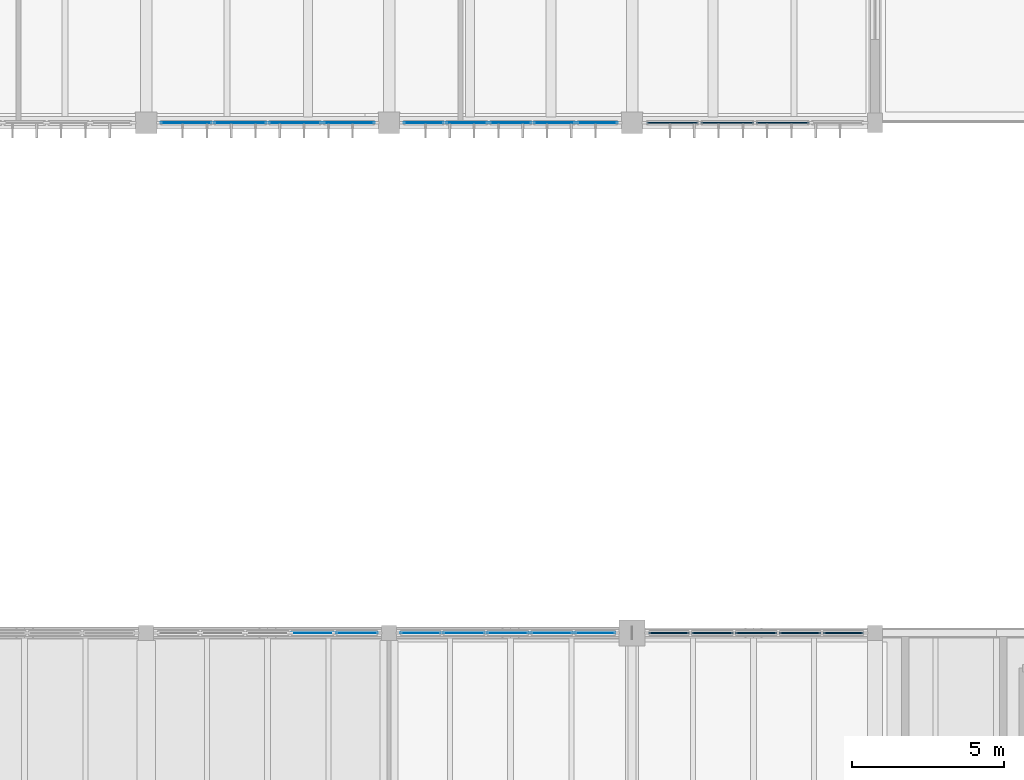
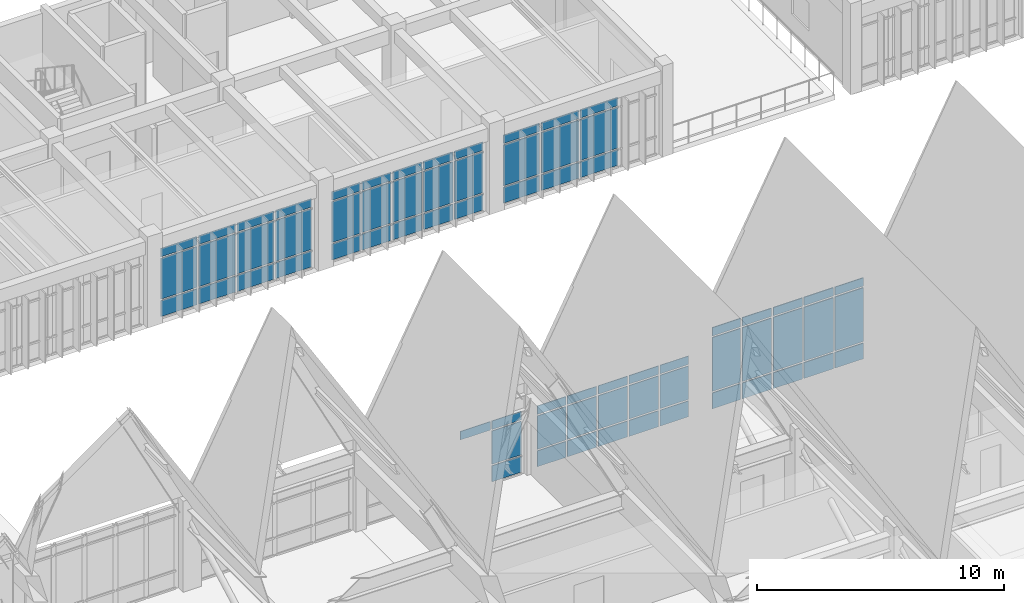
# One storey, part 37 of 72: 70 plates, 6 elements without a shape of their own.
"""IFC4 building model written with IfcOpenShell, lengths in metres."""

import ifcopenshell
import ifcopenshell.guid

model = None  # the IFC model being written
_history = None  # IfcOwnerHistory: only IFC2X3 demands one
_inside = {}  # id of a spatial element -> (the spatial element, [elements in it])
_under = {}  # id of a project, library or spatial element -> (it, [spatial elements below it])
_declared = {}  # id of a project -> (the project, [libraries it declares])
_typed = {}  # id of a type object -> (the type object, [elements of that type])
_made_of = {}  # id of a material, layer set ... -> (it, [elements and type objects made of it])


def new_model(schema):
    """Start an empty IFC model of exactly this schema.

    Asked for "IFC4X3", IfcOpenShell would pick the latest addendum, in which some entities
    have other attributes; the version numbers below select the first issue.
    IFC2X3 requires an IfcOwnerHistory on every rooted entity: one is made here for all.
    """
    global model, _history
    if schema == "IFC4X3":
        model = ifcopenshell.file(schema_version=(4, 3, 0, 0))
    else:
        model = ifcopenshell.file(schema=schema)
    _inside.clear()
    _under.clear()
    _declared.clear()
    _typed.clear()
    _made_of.clear()
    _history = None
    if model.schema == "IFC2X3":
        org = make("IfcOrganization", Name="unknown")
        user = make(
            "IfcPersonAndOrganization",
            ThePerson=make("IfcPerson", FamilyName="unknown"),
            TheOrganization=org,
        )
        app = make(
            "IfcApplication",
            ApplicationDeveloper=org,
            Version="unknown",
            ApplicationFullName="unknown",
            ApplicationIdentifier="unknown",
        )
        _history = make(
            "IfcOwnerHistory",
            OwningUser=user,
            OwningApplication=app,
            ChangeAction="ADDED",
            CreationDate=0,
        )
    return model


def make(cls, **values):
    """One entity of the class cls with the attributes given. An attribute that is None is left unset."""
    return model.create_entity(
        cls, **{name: value for name, value in values.items() if value is not None}
    )


def rooted(cls, **values):
    """An entity with a GlobalId (a new one), such as an element, a storey or a relation."""
    return make(cls, GlobalId=ifcopenshell.guid.new(), OwnerHistory=_history, **values)


def si_unit(unit_type, name, prefix=None):
    """IfcSIUnit, for example si_unit("LENGTHUNIT", "METRE", prefix="MILLI")."""
    return make("IfcSIUnit", UnitType=unit_type, Prefix=prefix, Name=name)


def assignment(units):
    """IfcUnitAssignment: the units of a project."""
    return None if units is None else make("IfcUnitAssignment", Units=units)


def point(xyz):
    """IfcCartesianPoint."""
    return None if xyz is None else make("IfcCartesianPoint", Coordinates=xyz)


def direction(xyz):
    """IfcDirection."""
    return None if xyz is None else make("IfcDirection", DirectionRatios=xyz)


def frame(location, z_axis=None, x_axis=None):
    """IfcAxis2Placement3D, a coordinate frame: its origin and axes. An axis left out is left unset."""
    return make(
        "IfcAxis2Placement3D",
        Location=point(location),
        Axis=direction(z_axis),
        RefDirection=direction(x_axis),
    )


def frame_2d(location, x_axis=None):
    """IfcAxis2Placement2D, a coordinate frame in the plane: its origin and x axis."""
    return make(
        "IfcAxis2Placement2D", Location=point(location), RefDirection=direction(x_axis)
    )


def origin():
    """The frame at (0, 0, 0) with its axes left unset."""
    return frame((0.0, 0.0, 0.0))


def origin_2d():
    """The frame at (0, 0) in the plane with its x axis left unset."""
    return frame_2d((0.0, 0.0))


def place(relative_to, where):
    """IfcLocalPlacement: puts the frame where relative to a parent placement (None: the world)."""
    return make(
        "IfcLocalPlacement", PlacementRelTo=relative_to, RelativePlacement=where
    )


def context(
    kind, dimensions, precision=None, world=None, true_north=None, identifier=None
):
    """IfcGeometricRepresentationContext, for example the 3D "Model" context."""
    return make(
        "IfcGeometricRepresentationContext",
        ContextIdentifier=identifier,
        ContextType=kind,
        CoordinateSpaceDimension=dimensions,
        Precision=precision,
        WorldCoordinateSystem=world,
        TrueNorth=true_north,
    )


def subcontext(parent, identifier, kind, view, scale=None):
    """IfcGeometricRepresentationSubContext, for example "Body" below "Model"."""
    return make(
        "IfcGeometricRepresentationSubContext",
        ContextIdentifier=identifier,
        ContextType=kind,
        ParentContext=parent,
        TargetScale=scale,
        TargetView=view,
    )


def project(units=None, contexts=None):
    """IfcProject with its units and contexts."""
    return rooted(
        "IfcProject",
        Name="project",
        RepresentationContexts=contexts,
        UnitsInContext=assignment(units),
    )


def spatial(cls, under=None, at=None, **own):
    """A site, building, storey or space (cls), placed at a placement, below another one or the project."""
    s = rooted(cls, ObjectPlacement=at, **own)
    if under is not None:
        _under.setdefault(under.id(), (under, []))[1].append(s)
    return s


def profile(cls, at=None, kind="AREA", **sizes):
    """A parametric profile (cls). Its sizes go by their IFC names, for example OverallWidth=200.0."""
    return make(cls, ProfileType=kind, Position=at, **sizes)


def rectangle(**sizes):
    """IfcRectangleProfileDef."""
    return profile("IfcRectangleProfileDef", **sizes)


def extrude(swept, where, along, depth):
    """IfcExtrudedAreaSolid: the profile swept, set in the frame where, extruded along a direction by depth."""
    return make(
        "IfcExtrudedAreaSolid",
        SweptArea=swept,
        Position=where,
        ExtrudedDirection=direction(along),
        Depth=depth,
    )


def shape(context_of_items, identifier, shape_type, items):
    """IfcShapeRepresentation: the items that make up one representation, for example the "Body"."""
    return make(
        "IfcShapeRepresentation",
        ContextOfItems=context_of_items,
        RepresentationIdentifier=identifier,
        RepresentationType=shape_type,
        Items=items,
    )


def material(Name=None, Category=None):
    """IfcMaterial."""
    return make("IfcMaterial", Name=Name, Category=Category)


def layer(
    of_material, thickness, ventilated=None, Name=None, Category=None, Priority=None
):
    """IfcMaterialLayer: one layer of a wall or slab, of a material (None: an air gap)."""
    return make(
        "IfcMaterialLayer",
        Material=of_material,
        LayerThickness=thickness,
        IsVentilated=ventilated,
        Name=Name,
        Category=Category,
        Priority=Priority,
    )


def layer_set(layers, Name=None):
    """IfcMaterialLayerSet."""
    return make("IfcMaterialLayerSet", MaterialLayers=layers, LayerSetName=Name)


def made_of(thing, what):
    """Note that an element or type object is made of a material, layer set ...; save() writes the relation."""
    if what is not None:
        _made_of.setdefault(what.id(), (what, []))[1].append(thing)
    return thing


def type_object(cls, material=None, **own):
    """A type object (cls), such as IfcWallType, which elements share."""
    return made_of(rooted(cls, **own), material)


def element(
    cls,
    number,
    at=None,
    inside=None,
    cuts=None,
    type_object=None,
    material=None,
    context=None,
    identifier="Body",
    shape_type=None,
    held_by="IfcProductDefinitionShape",
    body=None,
    shapes=None,
    **own,
):
    """One element of the class cls, such as IfcWall. Its Tag is "e" and its number.

    at: its placement. inside: the storey or other place that contains it. cuts: it is an
    opening in that element (IfcRelVoidsElement). A single representation is given by context,
    identifier, shape_type and body (its items); several are given by shapes. held_by: the class
    of the entity that holds the representations. save() writes the other relations.
    """
    e = rooted(cls, Tag="e%d" % number, ObjectPlacement=at, **own)
    if body is not None:
        shapes = [shape(context, identifier, shape_type, body)]
    if shapes is not None:
        e.Representation = make(held_by, Representations=shapes)
    if inside is not None:
        _inside.setdefault(inside.id(), (inside, []))[1].append(e)
    if cuts is not None:
        rooted(
            "IfcRelVoidsElement", RelatingBuildingElement=cuts, RelatedOpeningElement=e
        )
    if type_object is not None:
        _typed.setdefault(type_object.id(), (type_object, []))[1].append(e)
    return made_of(e, material)


def aggregate(whole, parts):
    """IfcRelAggregates: a whole, such as a stair, and the parts it consists of."""
    return rooted("IfcRelAggregates", RelatingObject=whole, RelatedObjects=parts)


def save(model, path):
    """Write the relations noted so far, then the file.

    IfcRelAggregates (storeys below a building ...), IfcRelContainedInSpatialStructure (elements
    in a storey), IfcRelDefinesByType, IfcRelAssociatesMaterial and IfcRelDeclares: one each for
    every whole, place, type object, material and project.
    """
    for whole, parts in _under.values():
        aggregate(whole, parts)
    for where, things in _inside.values():
        rooted(
            "IfcRelContainedInSpatialStructure",
            RelatedElements=things,
            RelatingStructure=where,
        )
    for kind, things in _typed.values():
        rooted("IfcRelDefinesByType", RelatedObjects=things, RelatingType=kind)
    for what, things in _made_of.values():
        rooted("IfcRelAssociatesMaterial", RelatedObjects=things, RelatingMaterial=what)
    for by, libraries in _declared.values():
        rooted("IfcRelDeclares", RelatingContext=by, RelatedDefinitions=libraries)
    model.write(path)


model = new_model("IFC4")

# Units and contexts
model_context = context("Model", 3, precision=1e-05, world=origin(), true_north=direction((0.0, 1.0)))
body_context = subcontext(model_context, "Body", "Model", "MODEL_VIEW")
ifc_project = project(units=[si_unit("LENGTHUNIT", "METRE"), si_unit("AREAUNIT", "SQUARE_METRE"), si_unit("VOLUMEUNIT", "CUBIC_METRE"), si_unit("PLANEANGLEUNIT", "RADIAN"), si_unit("MASSUNIT", "GRAM", prefix="KILO")], contexts=[model_context])

# Site, building, storey
site_placement = place(None, origin())
site = spatial("IfcSite", under=ifc_project, at=site_placement, CompositionType="ELEMENT")
building_placement = place(site_placement, origin())
building = spatial("IfcBuilding", under=site, at=building_placement, Name="Tlaxcora Railside Police Headquarters", CompositionType="ELEMENT")
storey_placement = place(building_placement, frame((0.0, 0.0, 13.5)))
storey = spatial("IfcBuildingStorey", under=building, at=storey_placement, Name="L03", CompositionType="ELEMENT", Elevation=13.5)

# Curtain wall, plates
ifc_material = material(Name="Thermally broken low-E insulated glazing", Category="glass")
curtain_wall_type_1 = type_object("IfcCurtainWallType", Name="Unitised Curtain Wall Assembly CW-23", PredefinedType="NOTDEFINED", material=ifc_material)
curtain_wall_1_placement = place(storey_placement, origin())
curtain_wall_1 = element("IfcCurtainWall", 1, at=curtain_wall_1_placement, inside=storey, type_object=curtain_wall_type_1, Name="V2 L03 curtain wall 16", PredefinedType="NOTDEFINED")
ifc_layer_1 = layer(ifc_material, 0.0400390625, Name="Thermally broken low-E insulated glazing")
ifc_layer_set_1 = layer_set([ifc_layer_1], Name="Thermally broken low-E insulated glazing")
plate_type_1 = type_object("IfcPlateType", Name="Curtain Wall Infill Panel CW-17", PredefinedType="CURTAIN_PANEL", material=ifc_layer_set_1)
plate_1_placement = place(storey_placement, frame((92.95751953125, 60.0, 0.080078125), z_axis=(0.0, 0.0, 1.0), x_axis=(-1.0, 0.0, 0.0)))
plate_1 = element("IfcPlate", 2, at=plate_1_placement, type_object=plate_type_1, Name="CW panel 1.1", PredefinedType="CURTAIN_PANEL", context=body_context, shape_type="SweptSolid", body=[
    extrude(rectangle(XDim=1.324951171875, YDim=0.0400390625, at=origin_2d()), origin(), (0.0, 0.0, 1.0), 0.780029296875),
])
plate_2_placement = place(storey_placement, frame((92.95751953125, 60.0, 0.93994140625), z_axis=(0.0, 0.0, 1.0), x_axis=(-1.0, 0.0, 0.0)))
plate_2 = element("IfcPlate", 3, at=plate_2_placement, type_object=plate_type_1, Name="CW panel 1.2", PredefinedType="CURTAIN_PANEL", context=body_context, shape_type="SweptSolid", body=[
    extrude(rectangle(XDim=1.324951171875, YDim=0.0400390625, at=origin_2d()), origin(), (0.0, 0.0, 1.0), 2.659912109375),
])
plate_3_placement = place(storey_placement, frame((92.95751953125, 60.0, 3.68017578125), z_axis=(0.0, 0.0, 1.0), x_axis=(-1.0, 0.0, 0.0)))
plate_3 = element("IfcPlate", 4, at=plate_3_placement, type_object=plate_type_1, Name="CW panel 1.3", PredefinedType="CURTAIN_PANEL", context=body_context, shape_type="SweptSolid", body=[
    extrude(rectangle(XDim=1.324951171875, YDim=0.0400390625, at=origin_2d()), origin(), (0.0, 0.0, 1.0), 0.409912109375),
])
plate_4_placement = place(storey_placement, frame((91.532470703125, 60.0, 0.080078125), z_axis=(0.0, 0.0, 1.0), x_axis=(-1.0, 0.0, 0.0)))
plate_4 = element("IfcPlate", 5, at=plate_4_placement, type_object=plate_type_1, Name="CW panel 2.1", PredefinedType="CURTAIN_PANEL", context=body_context, shape_type="SweptSolid", body=[
    extrude(rectangle(XDim=1.364990234375, YDim=0.0400390625, at=origin_2d()), origin(), (0.0, 0.0, 1.0), 0.780029296875),
])
plate_5_placement = place(storey_placement, frame((91.532470703125, 60.0, 0.93994140625), z_axis=(0.0, 0.0, 1.0), x_axis=(-1.0, 0.0, 0.0)))
plate_5 = element("IfcPlate", 6, at=plate_5_placement, type_object=plate_type_1, Name="CW panel 2.2", PredefinedType="CURTAIN_PANEL", context=body_context, shape_type="SweptSolid", body=[
    extrude(rectangle(XDim=1.364990234375, YDim=0.0400390625, at=origin_2d()), origin(), (0.0, 0.0, 1.0), 2.659912109375),
])
plate_6_placement = place(storey_placement, frame((91.532470703125, 60.0, 3.68017578125), z_axis=(0.0, 0.0, 1.0), x_axis=(-1.0, 0.0, 0.0)))
plate_6 = element("IfcPlate", 7, at=plate_6_placement, type_object=plate_type_1, Name="CW panel 2.3", PredefinedType="CURTAIN_PANEL", context=body_context, shape_type="SweptSolid", body=[
    extrude(rectangle(XDim=1.364990234375, YDim=0.0400390625, at=origin_2d()), origin(), (0.0, 0.0, 1.0), 0.409912109375),
])
plate_7_placement = place(storey_placement, frame((90.08740234375, 60.0, 0.080078125), z_axis=(0.0, 0.0, 1.0), x_axis=(-1.0, 0.0, 0.0)))
plate_7 = element("IfcPlate", 8, at=plate_7_placement, type_object=plate_type_1, Name="CW panel 3.1", PredefinedType="CURTAIN_PANEL", context=body_context, shape_type="SweptSolid", body=[
    extrude(rectangle(XDim=1.364990234375, YDim=0.0400390625, at=origin_2d()), origin(), (0.0, 0.0, 1.0), 0.780029296875),
])
plate_8_placement = place(storey_placement, frame((90.08740234375, 60.0, 0.93994140625), z_axis=(0.0, 0.0, 1.0), x_axis=(-1.0, 0.0, 0.0)))
plate_8 = element("IfcPlate", 9, at=plate_8_placement, type_object=plate_type_1, Name="CW panel 3.2", PredefinedType="CURTAIN_PANEL", context=body_context, shape_type="SweptSolid", body=[
    extrude(rectangle(XDim=1.364990234375, YDim=0.0400390625, at=origin_2d()), origin(), (0.0, 0.0, 1.0), 2.659912109375),
])
plate_9_placement = place(storey_placement, frame((90.08740234375, 60.0, 3.68017578125), z_axis=(0.0, 0.0, 1.0), x_axis=(-1.0, 0.0, 0.0)))
plate_9 = element("IfcPlate", 10, at=plate_9_placement, type_object=plate_type_1, Name="CW panel 3.3", PredefinedType="CURTAIN_PANEL", context=body_context, shape_type="SweptSolid", body=[
    extrude(rectangle(XDim=1.364990234375, YDim=0.0400390625, at=origin_2d()), origin(), (0.0, 0.0, 1.0), 0.409912109375),
])
plate_10_placement = place(storey_placement, frame((88.642578125, 60.0, 0.080078125), z_axis=(0.0, 0.0, 1.0), x_axis=(-1.0, 0.0, 0.0)))
plate_10 = element("IfcPlate", 11, at=plate_10_placement, type_object=plate_type_1, Name="CW panel 4.1", PredefinedType="CURTAIN_PANEL", context=body_context, shape_type="SweptSolid", body=[
    extrude(rectangle(XDim=1.364990234375, YDim=0.0400390625, at=origin_2d()), origin(), (0.0, 0.0, 1.0), 0.780029296875),
])
plate_11_placement = place(storey_placement, frame((88.642578125, 60.0, 0.93994140625), z_axis=(0.0, 0.0, 1.0), x_axis=(-1.0, 0.0, 0.0)))
plate_11 = element("IfcPlate", 12, at=plate_11_placement, type_object=plate_type_1, Name="CW panel 4.2", PredefinedType="CURTAIN_PANEL", context=body_context, shape_type="SweptSolid", body=[
    extrude(rectangle(XDim=1.364990234375, YDim=0.0400390625, at=origin_2d()), origin(), (0.0, 0.0, 1.0), 2.659912109375),
])
plate_12_placement = place(storey_placement, frame((88.642578125, 60.0, 3.68017578125), z_axis=(0.0, 0.0, 1.0), x_axis=(-1.0, 0.0, 0.0)))
plate_12 = element("IfcPlate", 13, at=plate_12_placement, type_object=plate_type_1, Name="CW panel 4.3", PredefinedType="CURTAIN_PANEL", context=body_context, shape_type="SweptSolid", body=[
    extrude(rectangle(XDim=1.364990234375, YDim=0.0400390625, at=origin_2d()), origin(), (0.0, 0.0, 1.0), 0.409912109375),
])
plate_13_placement = place(storey_placement, frame((87.217529296875, 60.0, 0.080078125), z_axis=(0.0, 0.0, 1.0), x_axis=(-1.0, 0.0, 0.0)))
plate_13 = element("IfcPlate", 14, at=plate_13_placement, type_object=plate_type_1, Name="CW panel 5.1", PredefinedType="CURTAIN_PANEL", context=body_context, shape_type="SweptSolid", body=[
    extrude(rectangle(XDim=1.324951171875, YDim=0.0400390625, at=origin_2d()), origin(), (0.0, 0.0, 1.0), 0.780029296875),
])
plate_14_placement = place(storey_placement, frame((87.217529296875, 60.0, 0.93994140625), z_axis=(0.0, 0.0, 1.0), x_axis=(-1.0, 0.0, 0.0)))
plate_14 = element("IfcPlate", 15, at=plate_14_placement, type_object=plate_type_1, Name="CW panel 5.2", PredefinedType="CURTAIN_PANEL", context=body_context, shape_type="SweptSolid", body=[
    extrude(rectangle(XDim=1.324951171875, YDim=0.0400390625, at=origin_2d()), origin(), (0.0, 0.0, 1.0), 2.659912109375),
])
plate_15_placement = place(storey_placement, frame((87.217529296875, 60.0, 3.68017578125), z_axis=(0.0, 0.0, 1.0), x_axis=(-1.0, 0.0, 0.0)))
plate_15 = element("IfcPlate", 16, at=plate_15_placement, type_object=plate_type_1, Name="CW panel 5.3", PredefinedType="CURTAIN_PANEL", context=body_context, shape_type="SweptSolid", body=[
    extrude(rectangle(XDim=1.324951171875, YDim=0.0400390625, at=origin_2d()), origin(), (0.0, 0.0, 1.0), 0.409912109375),
])
aggregate(curtain_wall_1, [plate_1, plate_2, plate_3, plate_4, plate_5, plate_6, plate_7, plate_8, plate_9, plate_10, plate_11, plate_12, plate_13, plate_14, plate_15])

curtain_wall_type_2 = type_object("IfcCurtainWallType", Name="Unitised Curtain Wall Assembly CW-15", PredefinedType="NOTDEFINED", material=ifc_material)
curtain_wall_2_placement = place(storey_placement, origin())
curtain_wall_2 = element("IfcCurtainWall", 17, at=curtain_wall_2_placement, inside=storey, type_object=curtain_wall_type_2, Name="V2 L03 curtain wall 18", PredefinedType="NOTDEFINED")
ifc_layer_2 = layer(ifc_material, 0.031982421875, Name="Thermally broken low-E insulated glazing")
ifc_layer_set_2 = layer_set([ifc_layer_2], Name="Thermally broken low-E insulated glazing")
plate_type_2 = type_object("IfcPlateType", Name="Curtain Wall Infill Panel CW-41", PredefinedType="CURTAIN_PANEL", material=ifc_layer_set_2)
plate_16_placement = place(storey_placement, frame((76.941162109375, 60.0, 0.074951171875), z_axis=(0.0, 0.0, 1.0), x_axis=(-1.0, 0.0, 0.0)))
plate_16 = element("IfcPlate", 18, at=plate_16_placement, type_object=plate_type_2, Name="CW panel 1.1", PredefinedType="CURTAIN_PANEL", context=body_context, shape_type="SweptSolid", body=[
    extrude(rectangle(XDim=1.367431640625, YDim=0.031982421875, at=origin_2d()), origin(), (0.0, 0.0, 1.0), 0.78759765625),
])
plate_17_placement = place(storey_placement, frame((76.941162109375, 60.0, 0.9375), z_axis=(0.0, 0.0, 1.0), x_axis=(-1.0, 0.0, 0.0)))
plate_17 = element("IfcPlate", 19, at=plate_17_placement, type_object=plate_type_2, Name="CW panel 1.2", PredefinedType="CURTAIN_PANEL", context=body_context, shape_type="SweptSolid", body=[
    extrude(rectangle(XDim=1.367431640625, YDim=0.031982421875, at=origin_2d()), origin(), (0.0, 0.0, 1.0), 1.64990234375),
])
plate_18_placement = place(storey_placement, frame((76.941162109375, 60.0, 2.66259765625), z_axis=(0.0, 0.0, 1.0), x_axis=(-1.0, 0.0, 0.0)))
plate_18 = element("IfcPlate", 20, at=plate_18_placement, type_object=plate_type_2, Name="CW panel 1.3", PredefinedType="CURTAIN_PANEL", context=body_context, shape_type="SweptSolid", body=[
    extrude(rectangle(XDim=1.367431640625, YDim=0.031982421875, at=origin_2d()), origin(), (0.0, 0.0, 1.0), 0.41748046875),
])
plate_19_placement = place(storey_placement, frame((75.47998046875, 60.0, 2.66259765625), z_axis=(0.0, 0.0, 1.0), x_axis=(-1.0, 0.0, 0.0)))
plate_19 = element("IfcPlate", 21, at=plate_19_placement, type_object=plate_type_2, Name="CW panel 2.3", PredefinedType="CURTAIN_PANEL", context=body_context, shape_type="SweptSolid", body=[
    extrude(rectangle(XDim=1.405029296875, YDim=0.031982421875, at=origin_2d()), origin(), (0.0, 0.0, 1.0), 0.41748046875),
])
aggregate(curtain_wall_2, [plate_16, plate_17, plate_18, plate_19])

curtain_wall_3_placement = place(storey_placement, origin())
curtain_wall_3 = element("IfcCurtainWall", 22, at=curtain_wall_3_placement, inside=storey, type_object=curtain_wall_type_2, Name="V5 L03 curtain wall 78", PredefinedType="NOTDEFINED")
plate_20_placement = place(storey_placement, frame((79.138671875, 76.800048828125, 0.074951171875), z_axis=(0.0, 0.0, 1.0), x_axis=(1.0, 0.0, 0.0)))
plate_20 = element("IfcPlate", 23, at=plate_20_placement, type_object=plate_type_2, Name="CW panel 1.1", PredefinedType="CURTAIN_PANEL", context=body_context, shape_type="SweptSolid", body=[
    extrude(rectangle(XDim=1.327392578125, YDim=0.031982421875, at=origin_2d()), origin(), (0.0, 0.0, 1.0), 0.78759765625),
])
plate_21_placement = place(storey_placement, frame((79.138671875, 76.800048828125, 0.9375), z_axis=(0.0, 0.0, 1.0), x_axis=(1.0, 0.0, 0.0)))
plate_21 = element("IfcPlate", 24, at=plate_21_placement, type_object=plate_type_2, Name="CW panel 1.2", PredefinedType="CURTAIN_PANEL", context=body_context, shape_type="SweptSolid", body=[
    extrude(rectangle(XDim=1.327392578125, YDim=0.031982421875, at=origin_2d()), origin(), (0.0, 0.0, 1.0), 2.014892578125),
])
plate_22_placement = place(storey_placement, frame((79.138671875, 76.800048828125, 3.027587890625), z_axis=(0.0, 0.0, 1.0), x_axis=(1.0, 0.0, 0.0)))
plate_22 = element("IfcPlate", 25, at=plate_22_placement, type_object=plate_type_2, Name="CW panel 1.3", PredefinedType="CURTAIN_PANEL", context=body_context, shape_type="SweptSolid", body=[
    extrude(rectangle(XDim=1.327392578125, YDim=0.031982421875, at=origin_2d()), origin(), (0.0, 0.0, 1.0), 0.41748046875),
])
plate_23_placement = place(storey_placement, frame((80.56005859375, 76.800048828125, 0.074951171875), z_axis=(0.0, 0.0, 1.0), x_axis=(1.0, 0.0, 0.0)))
plate_23 = element("IfcPlate", 26, at=plate_23_placement, type_object=plate_type_2, Name="CW panel 2.1", PredefinedType="CURTAIN_PANEL", context=body_context, shape_type="SweptSolid", body=[
    extrude(rectangle(XDim=1.364990234375, YDim=0.031982421875, at=origin_2d()), origin(), (0.0, 0.0, 1.0), 0.78759765625),
])
plate_24_placement = place(storey_placement, frame((80.56005859375, 76.800048828125, 0.9375), z_axis=(0.0, 0.0, 1.0), x_axis=(1.0, 0.0, 0.0)))
plate_24 = element("IfcPlate", 27, at=plate_24_placement, type_object=plate_type_2, Name="CW panel 2.2", PredefinedType="CURTAIN_PANEL", context=body_context, shape_type="SweptSolid", body=[
    extrude(rectangle(XDim=1.364990234375, YDim=0.031982421875, at=origin_2d()), origin(), (0.0, 0.0, 1.0), 2.014892578125),
])
plate_25_placement = place(storey_placement, frame((80.56005859375, 76.800048828125, 3.027587890625), z_axis=(0.0, 0.0, 1.0), x_axis=(1.0, 0.0, 0.0)))
plate_25 = element("IfcPlate", 28, at=plate_25_placement, type_object=plate_type_2, Name="CW panel 2.3", PredefinedType="CURTAIN_PANEL", context=body_context, shape_type="SweptSolid", body=[
    extrude(rectangle(XDim=1.364990234375, YDim=0.031982421875, at=origin_2d()), origin(), (0.0, 0.0, 1.0), 0.41748046875),
])
plate_26_placement = place(storey_placement, frame((82.0, 76.800048828125, 0.074951171875), z_axis=(0.0, 0.0, 1.0), x_axis=(1.0, 0.0, 0.0)))
plate_26 = element("IfcPlate", 29, at=plate_26_placement, type_object=plate_type_2, Name="CW panel 3.1", PredefinedType="CURTAIN_PANEL", context=body_context, shape_type="SweptSolid", body=[
    extrude(rectangle(XDim=1.364990234375, YDim=0.031982421875, at=origin_2d()), origin(), (0.0, 0.0, 1.0), 0.78759765625),
])
plate_27_placement = place(storey_placement, frame((82.0, 76.800048828125, 0.9375), z_axis=(0.0, 0.0, 1.0), x_axis=(1.0, 0.0, 0.0)))
plate_27 = element("IfcPlate", 30, at=plate_27_placement, type_object=plate_type_2, Name="CW panel 3.2", PredefinedType="CURTAIN_PANEL", context=body_context, shape_type="SweptSolid", body=[
    extrude(rectangle(XDim=1.364990234375, YDim=0.031982421875, at=origin_2d()), origin(), (0.0, 0.0, 1.0), 2.014892578125),
])
plate_28_placement = place(storey_placement, frame((82.0, 76.800048828125, 3.027587890625), z_axis=(0.0, 0.0, 1.0), x_axis=(1.0, 0.0, 0.0)))
plate_28 = element("IfcPlate", 31, at=plate_28_placement, type_object=plate_type_2, Name="CW panel 3.3", PredefinedType="CURTAIN_PANEL", context=body_context, shape_type="SweptSolid", body=[
    extrude(rectangle(XDim=1.364990234375, YDim=0.031982421875, at=origin_2d()), origin(), (0.0, 0.0, 1.0), 0.41748046875),
])
plate_29_placement = place(storey_placement, frame((83.43994140625, 76.800048828125, 0.074951171875), z_axis=(0.0, 0.0, 1.0), x_axis=(1.0, 0.0, 0.0)))
plate_29 = element("IfcPlate", 32, at=plate_29_placement, type_object=plate_type_2, Name="CW panel 4.1", PredefinedType="CURTAIN_PANEL", context=body_context, shape_type="SweptSolid", body=[
    extrude(rectangle(XDim=1.364990234375, YDim=0.031982421875, at=origin_2d()), origin(), (0.0, 0.0, 1.0), 0.78759765625),
])
plate_30_placement = place(storey_placement, frame((83.43994140625, 76.800048828125, 0.9375), z_axis=(0.0, 0.0, 1.0), x_axis=(1.0, 0.0, 0.0)))
plate_30 = element("IfcPlate", 33, at=plate_30_placement, type_object=plate_type_2, Name="CW panel 4.2", PredefinedType="CURTAIN_PANEL", context=body_context, shape_type="SweptSolid", body=[
    extrude(rectangle(XDim=1.364990234375, YDim=0.031982421875, at=origin_2d()), origin(), (0.0, 0.0, 1.0), 2.014892578125),
])
plate_31_placement = place(storey_placement, frame((83.43994140625, 76.800048828125, 3.027587890625), z_axis=(0.0, 0.0, 1.0), x_axis=(1.0, 0.0, 0.0)))
plate_31 = element("IfcPlate", 34, at=plate_31_placement, type_object=plate_type_2, Name="CW panel 4.3", PredefinedType="CURTAIN_PANEL", context=body_context, shape_type="SweptSolid", body=[
    extrude(rectangle(XDim=1.364990234375, YDim=0.031982421875, at=origin_2d()), origin(), (0.0, 0.0, 1.0), 0.41748046875),
])
plate_32_placement = place(storey_placement, frame((84.861328125, 76.800048828125, 0.074951171875), z_axis=(0.0, 0.0, 1.0), x_axis=(1.0, 0.0, 0.0)))
plate_32 = element("IfcPlate", 35, at=plate_32_placement, type_object=plate_type_2, Name="CW panel 5.1", PredefinedType="CURTAIN_PANEL", context=body_context, shape_type="SweptSolid", body=[
    extrude(rectangle(XDim=1.327392578125, YDim=0.031982421875, at=origin_2d()), origin(), (0.0, 0.0, 1.0), 0.78759765625),
])
plate_33_placement = place(storey_placement, frame((84.861328125, 76.800048828125, 0.9375), z_axis=(0.0, 0.0, 1.0), x_axis=(1.0, 0.0, 0.0)))
plate_33 = element("IfcPlate", 36, at=plate_33_placement, type_object=plate_type_2, Name="CW panel 5.2", PredefinedType="CURTAIN_PANEL", context=body_context, shape_type="SweptSolid", body=[
    extrude(rectangle(XDim=1.327392578125, YDim=0.031982421875, at=origin_2d()), origin(), (0.0, 0.0, 1.0), 2.014892578125),
])
plate_34_placement = place(storey_placement, frame((84.861328125, 76.800048828125, 3.027587890625), z_axis=(0.0, 0.0, 1.0), x_axis=(1.0, 0.0, 0.0)))
plate_34 = element("IfcPlate", 37, at=plate_34_placement, type_object=plate_type_2, Name="CW panel 5.3", PredefinedType="CURTAIN_PANEL", context=body_context, shape_type="SweptSolid", body=[
    extrude(rectangle(XDim=1.327392578125, YDim=0.031982421875, at=origin_2d()), origin(), (0.0, 0.0, 1.0), 0.41748046875),
])
aggregate(curtain_wall_3, [plate_20, plate_21, plate_22, plate_23, plate_24, plate_25, plate_26, plate_27, plate_28, plate_29, plate_30, plate_31, plate_32, plate_33, plate_34])

curtain_wall_type_3 = type_object("IfcCurtainWallType", Name="Unitised Curtain Wall Assembly CW-83", PredefinedType="NOTDEFINED", material=ifc_material)
curtain_wall_4_placement = place(storey_placement, origin())
curtain_wall_4 = element("IfcCurtainWall", 38, at=curtain_wall_4_placement, inside=storey, type_object=curtain_wall_type_3, Name="V5 L03 curtain wall 79", PredefinedType="NOTDEFINED")
ifc_layer_3 = layer(ifc_material, 0.035888671875, Name="Thermally broken low-E insulated glazing")
ifc_layer_set_3 = layer_set([ifc_layer_3], Name="Thermally broken low-E insulated glazing")
plate_type_3 = type_object("IfcPlateType", Name="Curtain Wall Infill Panel CW-72", PredefinedType="CURTAIN_PANEL", material=ifc_layer_set_3)
plate_35_placement = place(storey_placement, frame((87.33251953125, 76.800048828125, 0.080078125), z_axis=(0.0, 0.0, 1.0), x_axis=(1.0, 0.0, 0.0)))
plate_35 = element("IfcPlate", 39, at=plate_35_placement, type_object=plate_type_3, Name="CW panel 1.1", PredefinedType="CURTAIN_PANEL", context=body_context, shape_type="SweptSolid", body=[
    extrude(rectangle(XDim=1.705078125, YDim=0.035888671875, at=origin_2d()), origin(), (0.0, 0.0, 1.0), 0.780029296875),
])
plate_36_placement = place(storey_placement, frame((87.33251953125, 76.800048828125, 0.93994140625), z_axis=(0.0, 0.0, 1.0), x_axis=(1.0, 0.0, 0.0)))
plate_36 = element("IfcPlate", 40, at=plate_36_placement, type_object=plate_type_3, Name="CW panel 1.2", PredefinedType="CURTAIN_PANEL", context=body_context, shape_type="SweptSolid", body=[
    extrude(rectangle(XDim=1.705078125, YDim=0.035888671875, at=origin_2d()), origin(), (0.0, 0.0, 1.0), 2.010009765625),
])
plate_37_placement = place(storey_placement, frame((87.33251953125, 76.800048828125, 3.0302734375), z_axis=(0.0, 0.0, 1.0), x_axis=(1.0, 0.0, 0.0)))
plate_37 = element("IfcPlate", 41, at=plate_37_placement, type_object=plate_type_3, Name="CW panel 1.3", PredefinedType="CURTAIN_PANEL", context=body_context, shape_type="SweptSolid", body=[
    extrude(rectangle(XDim=1.705078125, YDim=0.035888671875, at=origin_2d()), origin(), (0.0, 0.0, 1.0), 0.409912109375),
])
plate_38_placement = place(storey_placement, frame((89.137451171875, 76.800048828125, 0.080078125), z_axis=(0.0, 0.0, 1.0), x_axis=(1.0, 0.0, 0.0)))
plate_38 = element("IfcPlate", 42, at=plate_38_placement, type_object=plate_type_3, Name="CW panel 2.1", PredefinedType="CURTAIN_PANEL", context=body_context, shape_type="SweptSolid", body=[
    extrude(rectangle(XDim=1.7451171875, YDim=0.035888671875, at=origin_2d()), origin(), (0.0, 0.0, 1.0), 0.780029296875),
])
plate_39_placement = place(storey_placement, frame((89.137451171875, 76.800048828125, 0.93994140625), z_axis=(0.0, 0.0, 1.0), x_axis=(1.0, 0.0, 0.0)))
plate_39 = element("IfcPlate", 43, at=plate_39_placement, type_object=plate_type_3, Name="CW panel 2.2", PredefinedType="CURTAIN_PANEL", context=body_context, shape_type="SweptSolid", body=[
    extrude(rectangle(XDim=1.7451171875, YDim=0.035888671875, at=origin_2d()), origin(), (0.0, 0.0, 1.0), 2.010009765625),
])
plate_40_placement = place(storey_placement, frame((89.137451171875, 76.800048828125, 3.0302734375), z_axis=(0.0, 0.0, 1.0), x_axis=(1.0, 0.0, 0.0)))
plate_40 = element("IfcPlate", 44, at=plate_40_placement, type_object=plate_type_3, Name="CW panel 2.3", PredefinedType="CURTAIN_PANEL", context=body_context, shape_type="SweptSolid", body=[
    extrude(rectangle(XDim=1.7451171875, YDim=0.035888671875, at=origin_2d()), origin(), (0.0, 0.0, 1.0), 0.409912109375),
])
plate_41_placement = place(storey_placement, frame((90.96240234375, 76.800048828125, 0.080078125), z_axis=(0.0, 0.0, 1.0), x_axis=(1.0, 0.0, 0.0)))
plate_41 = element("IfcPlate", 45, at=plate_41_placement, type_object=plate_type_3, Name="CW panel 3.1", PredefinedType="CURTAIN_PANEL", context=body_context, shape_type="SweptSolid", body=[
    extrude(rectangle(XDim=1.7451171875, YDim=0.035888671875, at=origin_2d()), origin(), (0.0, 0.0, 1.0), 0.780029296875),
])
plate_42_placement = place(storey_placement, frame((90.96240234375, 76.800048828125, 0.93994140625), z_axis=(0.0, 0.0, 1.0), x_axis=(1.0, 0.0, 0.0)))
plate_42 = element("IfcPlate", 46, at=plate_42_placement, type_object=plate_type_3, Name="CW panel 3.2", PredefinedType="CURTAIN_PANEL", context=body_context, shape_type="SweptSolid", body=[
    extrude(rectangle(XDim=1.7451171875, YDim=0.035888671875, at=origin_2d()), origin(), (0.0, 0.0, 1.0), 2.010009765625),
])
plate_43_placement = place(storey_placement, frame((90.96240234375, 76.800048828125, 3.0302734375), z_axis=(0.0, 0.0, 1.0), x_axis=(1.0, 0.0, 0.0)))
plate_43 = element("IfcPlate", 47, at=plate_43_placement, type_object=plate_type_3, Name="CW panel 3.3", PredefinedType="CURTAIN_PANEL", context=body_context, shape_type="SweptSolid", body=[
    extrude(rectangle(XDim=1.7451171875, YDim=0.035888671875, at=origin_2d()), origin(), (0.0, 0.0, 1.0), 0.409912109375),
])
aggregate(curtain_wall_4, [plate_35, plate_36, plate_37, plate_38, plate_39, plate_40, plate_41, plate_42, plate_43])

curtain_wall_type_4 = type_object("IfcCurtainWallType", Name="Unitised Curtain Wall Assembly CW-38", PredefinedType="NOTDEFINED", material=ifc_material)
curtain_wall_5_placement = place(storey_placement, origin())
curtain_wall_5 = element("IfcCurtainWall", 48, at=curtain_wall_5_placement, inside=storey, type_object=curtain_wall_type_4, Name="V2 L03 curtain wall 17", PredefinedType="NOTDEFINED")
ifc_layer_4 = layer(ifc_material, 0.028076171875, Name="Thermally broken low-E insulated glazing")
ifc_layer_set_4 = layer_set([ifc_layer_4], Name="Thermally broken low-E insulated glazing")
plate_type_4 = type_object("IfcPlateType", Name="Curtain Wall Infill Panel CW-92", PredefinedType="CURTAIN_PANEL", material=ifc_layer_set_4)
plate_44_placement = place(storey_placement, frame((84.78369140625, 60.0, 0.074951171875), z_axis=(0.0, 0.0, 1.0), x_axis=(-1.0, 0.0, 0.0)))
plate_44 = element("IfcPlate", 49, at=plate_44_placement, type_object=plate_type_4, Name="CW panel 1.1", PredefinedType="CURTAIN_PANEL", context=body_context, shape_type="SweptSolid", body=[
    extrude(rectangle(XDim=1.33251953125, YDim=0.028076171875, at=origin_2d()), origin(), (0.0, 0.0, 1.0), 0.78759765625),
])
plate_45_placement = place(storey_placement, frame((84.78369140625, 60.0, 0.9375), z_axis=(0.0, 0.0, 1.0), x_axis=(-1.0, 0.0, 0.0)))
plate_45 = element("IfcPlate", 50, at=plate_45_placement, type_object=plate_type_4, Name="CW panel 1.2", PredefinedType="CURTAIN_PANEL", context=body_context, shape_type="SweptSolid", body=[
    extrude(rectangle(XDim=1.33251953125, YDim=0.028076171875, at=origin_2d()), origin(), (0.0, 0.0, 1.0), 1.64990234375),
])
plate_46_placement = place(storey_placement, frame((84.78369140625, 60.0, 2.66259765625), z_axis=(0.0, 0.0, 1.0), x_axis=(-1.0, 0.0, 0.0)))
plate_46 = element("IfcPlate", 51, at=plate_46_placement, type_object=plate_type_4, Name="CW panel 1.3", PredefinedType="CURTAIN_PANEL", context=body_context, shape_type="SweptSolid", body=[
    extrude(rectangle(XDim=1.33251953125, YDim=0.028076171875, at=origin_2d()), origin(), (0.0, 0.0, 1.0), 0.41748046875),
])
plate_47_placement = place(storey_placement, frame((83.357421875, 60.0, 0.074951171875), z_axis=(0.0, 0.0, 1.0), x_axis=(-1.0, 0.0, 0.0)))
plate_47 = element("IfcPlate", 52, at=plate_47_placement, type_object=plate_type_4, Name="CW panel 2.1", PredefinedType="CURTAIN_PANEL", context=body_context, shape_type="SweptSolid", body=[
    extrude(rectangle(XDim=1.3701171875, YDim=0.028076171875, at=origin_2d()), origin(), (0.0, 0.0, 1.0), 0.78759765625),
])
plate_48_placement = place(storey_placement, frame((83.357421875, 60.0, 0.9375), z_axis=(0.0, 0.0, 1.0), x_axis=(-1.0, 0.0, 0.0)))
plate_48 = element("IfcPlate", 53, at=plate_48_placement, type_object=plate_type_4, Name="CW panel 2.2", PredefinedType="CURTAIN_PANEL", context=body_context, shape_type="SweptSolid", body=[
    extrude(rectangle(XDim=1.3701171875, YDim=0.028076171875, at=origin_2d()), origin(), (0.0, 0.0, 1.0), 1.64990234375),
])
plate_49_placement = place(storey_placement, frame((83.357421875, 60.0, 2.66259765625), z_axis=(0.0, 0.0, 1.0), x_axis=(-1.0, 0.0, 0.0)))
plate_49 = element("IfcPlate", 54, at=plate_49_placement, type_object=plate_type_4, Name="CW panel 2.3", PredefinedType="CURTAIN_PANEL", context=body_context, shape_type="SweptSolid", body=[
    extrude(rectangle(XDim=1.3701171875, YDim=0.028076171875, at=origin_2d()), origin(), (0.0, 0.0, 1.0), 0.41748046875),
])
plate_50_placement = place(storey_placement, frame((81.91259765625, 60.0, 0.074951171875), z_axis=(0.0, 0.0, 1.0), x_axis=(-1.0, 0.0, 0.0)))
plate_50 = element("IfcPlate", 55, at=plate_50_placement, type_object=plate_type_4, Name="CW panel 3.1", PredefinedType="CURTAIN_PANEL", context=body_context, shape_type="SweptSolid", body=[
    extrude(rectangle(XDim=1.3701171875, YDim=0.028076171875, at=origin_2d()), origin(), (0.0, 0.0, 1.0), 0.78759765625),
])
plate_51_placement = place(storey_placement, frame((81.91259765625, 60.0, 0.9375), z_axis=(0.0, 0.0, 1.0), x_axis=(-1.0, 0.0, 0.0)))
plate_51 = element("IfcPlate", 56, at=plate_51_placement, type_object=plate_type_4, Name="CW panel 3.2", PredefinedType="CURTAIN_PANEL", context=body_context, shape_type="SweptSolid", body=[
    extrude(rectangle(XDim=1.3701171875, YDim=0.028076171875, at=origin_2d()), origin(), (0.0, 0.0, 1.0), 1.64990234375),
])
plate_52_placement = place(storey_placement, frame((81.91259765625, 60.0, 2.66259765625), z_axis=(0.0, 0.0, 1.0), x_axis=(-1.0, 0.0, 0.0)))
plate_52 = element("IfcPlate", 57, at=plate_52_placement, type_object=plate_type_4, Name="CW panel 3.3", PredefinedType="CURTAIN_PANEL", context=body_context, shape_type="SweptSolid", body=[
    extrude(rectangle(XDim=1.3701171875, YDim=0.028076171875, at=origin_2d()), origin(), (0.0, 0.0, 1.0), 0.41748046875),
])
plate_53_placement = place(storey_placement, frame((80.467529296875, 60.0, 0.074951171875), z_axis=(0.0, 0.0, 1.0), x_axis=(-1.0, 0.0, 0.0)))
plate_53 = element("IfcPlate", 58, at=plate_53_placement, type_object=plate_type_4, Name="CW panel 4.1", PredefinedType="CURTAIN_PANEL", context=body_context, shape_type="SweptSolid", body=[
    extrude(rectangle(XDim=1.3701171875, YDim=0.028076171875, at=origin_2d()), origin(), (0.0, 0.0, 1.0), 0.78759765625),
])
plate_54_placement = place(storey_placement, frame((80.467529296875, 60.0, 0.9375), z_axis=(0.0, 0.0, 1.0), x_axis=(-1.0, 0.0, 0.0)))
plate_54 = element("IfcPlate", 59, at=plate_54_placement, type_object=plate_type_4, Name="CW panel 4.2", PredefinedType="CURTAIN_PANEL", context=body_context, shape_type="SweptSolid", body=[
    extrude(rectangle(XDim=1.3701171875, YDim=0.028076171875, at=origin_2d()), origin(), (0.0, 0.0, 1.0), 1.64990234375),
])
plate_55_placement = place(storey_placement, frame((80.467529296875, 60.0, 2.66259765625), z_axis=(0.0, 0.0, 1.0), x_axis=(-1.0, 0.0, 0.0)))
plate_55 = element("IfcPlate", 60, at=plate_55_placement, type_object=plate_type_4, Name="CW panel 4.3", PredefinedType="CURTAIN_PANEL", context=body_context, shape_type="SweptSolid", body=[
    extrude(rectangle(XDim=1.3701171875, YDim=0.028076171875, at=origin_2d()), origin(), (0.0, 0.0, 1.0), 0.41748046875),
])
plate_56_placement = place(storey_placement, frame((79.041259765625, 60.0, 0.074951171875), z_axis=(0.0, 0.0, 1.0), x_axis=(-1.0, 0.0, 0.0)))
plate_56 = element("IfcPlate", 61, at=plate_56_placement, type_object=plate_type_4, Name="CW panel 5.1", PredefinedType="CURTAIN_PANEL", context=body_context, shape_type="SweptSolid", body=[
    extrude(rectangle(XDim=1.33251953125, YDim=0.028076171875, at=origin_2d()), origin(), (0.0, 0.0, 1.0), 0.78759765625),
])
plate_57_placement = place(storey_placement, frame((79.041259765625, 60.0, 0.9375), z_axis=(0.0, 0.0, 1.0), x_axis=(-1.0, 0.0, 0.0)))
plate_57 = element("IfcPlate", 62, at=plate_57_placement, type_object=plate_type_4, Name="CW panel 5.2", PredefinedType="CURTAIN_PANEL", context=body_context, shape_type="SweptSolid", body=[
    extrude(rectangle(XDim=1.33251953125, YDim=0.028076171875, at=origin_2d()), origin(), (0.0, 0.0, 1.0), 1.64990234375),
])
plate_58_placement = place(storey_placement, frame((79.041259765625, 60.0, 2.66259765625), z_axis=(0.0, 0.0, 1.0), x_axis=(-1.0, 0.0, 0.0)))
plate_58 = element("IfcPlate", 63, at=plate_58_placement, type_object=plate_type_4, Name="CW panel 5.3", PredefinedType="CURTAIN_PANEL", context=body_context, shape_type="SweptSolid", body=[
    extrude(rectangle(XDim=1.33251953125, YDim=0.028076171875, at=origin_2d()), origin(), (0.0, 0.0, 1.0), 0.41748046875),
])
aggregate(curtain_wall_5, [plate_44, plate_45, plate_46, plate_47, plate_48, plate_49, plate_50, plate_51, plate_52, plate_53, plate_54, plate_55, plate_56, plate_57, plate_58])

curtain_wall_6_placement = place(storey_placement, origin())
curtain_wall_6 = element("IfcCurtainWall", 64, at=curtain_wall_6_placement, inside=storey, type_object=curtain_wall_type_4, Name="V5 L03 curtain wall 77", PredefinedType="NOTDEFINED")
plate_59_placement = place(storey_placement, frame((71.31884765625, 76.800048828125, 0.074951171875), z_axis=(0.0, 0.0, 1.0), x_axis=(1.0, 0.0, 0.0)))
plate_59 = element("IfcPlate", 65, at=plate_59_placement, type_object=plate_type_4, Name="CW panel 1.1", PredefinedType="CURTAIN_PANEL", context=body_context, shape_type="SweptSolid", body=[
    extrude(rectangle(XDim=1.6875, YDim=0.028076171875, at=origin_2d()), origin(), (0.0, 0.0, 1.0), 0.78759765625),
])
plate_60_placement = place(storey_placement, frame((71.31884765625, 76.800048828125, 0.9375), z_axis=(0.0, 0.0, 1.0), x_axis=(1.0, 0.0, 0.0)))
plate_60 = element("IfcPlate", 66, at=plate_60_placement, type_object=plate_type_4, Name="CW panel 1.2", PredefinedType="CURTAIN_PANEL", context=body_context, shape_type="SweptSolid", body=[
    extrude(rectangle(XDim=1.6875, YDim=0.028076171875, at=origin_2d()), origin(), (0.0, 0.0, 1.0), 2.014892578125),
])
plate_61_placement = place(storey_placement, frame((71.31884765625, 76.800048828125, 3.027587890625), z_axis=(0.0, 0.0, 1.0), x_axis=(1.0, 0.0, 0.0)))
plate_61 = element("IfcPlate", 67, at=plate_61_placement, type_object=plate_type_4, Name="CW panel 1.3", PredefinedType="CURTAIN_PANEL", context=body_context, shape_type="SweptSolid", body=[
    extrude(rectangle(XDim=1.6875, YDim=0.028076171875, at=origin_2d()), origin(), (0.0, 0.0, 1.0), 0.41748046875),
])
plate_62_placement = place(storey_placement, frame((73.10009765625, 76.800048828125, 0.074951171875), z_axis=(0.0, 0.0, 1.0), x_axis=(1.0, 0.0, 0.0)))
plate_62 = element("IfcPlate", 68, at=plate_62_placement, type_object=plate_type_4, Name="CW panel 2.1", PredefinedType="CURTAIN_PANEL", context=body_context, shape_type="SweptSolid", body=[
    extrude(rectangle(XDim=1.72509765625, YDim=0.028076171875, at=origin_2d()), origin(), (0.0, 0.0, 1.0), 0.78759765625),
])
plate_63_placement = place(storey_placement, frame((73.10009765625, 76.800048828125, 0.9375), z_axis=(0.0, 0.0, 1.0), x_axis=(1.0, 0.0, 0.0)))
plate_63 = element("IfcPlate", 69, at=plate_63_placement, type_object=plate_type_4, Name="CW panel 2.2", PredefinedType="CURTAIN_PANEL", context=body_context, shape_type="SweptSolid", body=[
    extrude(rectangle(XDim=1.72509765625, YDim=0.028076171875, at=origin_2d()), origin(), (0.0, 0.0, 1.0), 2.014892578125),
])
plate_64_placement = place(storey_placement, frame((73.10009765625, 76.800048828125, 3.027587890625), z_axis=(0.0, 0.0, 1.0), x_axis=(1.0, 0.0, 0.0)))
plate_64 = element("IfcPlate", 70, at=plate_64_placement, type_object=plate_type_4, Name="CW panel 2.3", PredefinedType="CURTAIN_PANEL", context=body_context, shape_type="SweptSolid", body=[
    extrude(rectangle(XDim=1.72509765625, YDim=0.028076171875, at=origin_2d()), origin(), (0.0, 0.0, 1.0), 0.41748046875),
])
plate_65_placement = place(storey_placement, frame((74.89990234375, 76.800048828125, 0.074951171875), z_axis=(0.0, 0.0, 1.0), x_axis=(1.0, 0.0, 0.0)))
plate_65 = element("IfcPlate", 71, at=plate_65_placement, type_object=plate_type_4, Name="CW panel 3.1", PredefinedType="CURTAIN_PANEL", context=body_context, shape_type="SweptSolid", body=[
    extrude(rectangle(XDim=1.72509765625, YDim=0.028076171875, at=origin_2d()), origin(), (0.0, 0.0, 1.0), 0.78759765625),
])
plate_66_placement = place(storey_placement, frame((74.89990234375, 76.800048828125, 0.9375), z_axis=(0.0, 0.0, 1.0), x_axis=(1.0, 0.0, 0.0)))
plate_66 = element("IfcPlate", 72, at=plate_66_placement, type_object=plate_type_4, Name="CW panel 3.2", PredefinedType="CURTAIN_PANEL", context=body_context, shape_type="SweptSolid", body=[
    extrude(rectangle(XDim=1.72509765625, YDim=0.028076171875, at=origin_2d()), origin(), (0.0, 0.0, 1.0), 2.014892578125),
])
plate_67_placement = place(storey_placement, frame((74.89990234375, 76.800048828125, 3.027587890625), z_axis=(0.0, 0.0, 1.0), x_axis=(1.0, 0.0, 0.0)))
plate_67 = element("IfcPlate", 73, at=plate_67_placement, type_object=plate_type_4, Name="CW panel 3.3", PredefinedType="CURTAIN_PANEL", context=body_context, shape_type="SweptSolid", body=[
    extrude(rectangle(XDim=1.72509765625, YDim=0.028076171875, at=origin_2d()), origin(), (0.0, 0.0, 1.0), 0.41748046875),
])
plate_68_placement = place(storey_placement, frame((76.68115234375, 76.800048828125, 0.074951171875), z_axis=(0.0, 0.0, 1.0), x_axis=(1.0, 0.0, 0.0)))
plate_68 = element("IfcPlate", 74, at=plate_68_placement, type_object=plate_type_4, Name="CW panel 4.1", PredefinedType="CURTAIN_PANEL", context=body_context, shape_type="SweptSolid", body=[
    extrude(rectangle(XDim=1.6875, YDim=0.028076171875, at=origin_2d()), origin(), (0.0, 0.0, 1.0), 0.78759765625),
])
plate_69_placement = place(storey_placement, frame((76.68115234375, 76.800048828125, 0.9375), z_axis=(0.0, 0.0, 1.0), x_axis=(1.0, 0.0, 0.0)))
plate_69 = element("IfcPlate", 75, at=plate_69_placement, type_object=plate_type_4, Name="CW panel 4.2", PredefinedType="CURTAIN_PANEL", context=body_context, shape_type="SweptSolid", body=[
    extrude(rectangle(XDim=1.6875, YDim=0.028076171875, at=origin_2d()), origin(), (0.0, 0.0, 1.0), 2.014892578125),
])
plate_70_placement = place(storey_placement, frame((76.68115234375, 76.800048828125, 3.027587890625), z_axis=(0.0, 0.0, 1.0), x_axis=(1.0, 0.0, 0.0)))
plate_70 = element("IfcPlate", 76, at=plate_70_placement, type_object=plate_type_4, Name="CW panel 4.3", PredefinedType="CURTAIN_PANEL", context=body_context, shape_type="SweptSolid", body=[
    extrude(rectangle(XDim=1.6875, YDim=0.028076171875, at=origin_2d()), origin(), (0.0, 0.0, 1.0), 0.41748046875),
])
aggregate(curtain_wall_6, [plate_59, plate_60, plate_61, plate_62, plate_63, plate_64, plate_65, plate_66, plate_67, plate_68, plate_69, plate_70])

save(model, "model.ifc")
